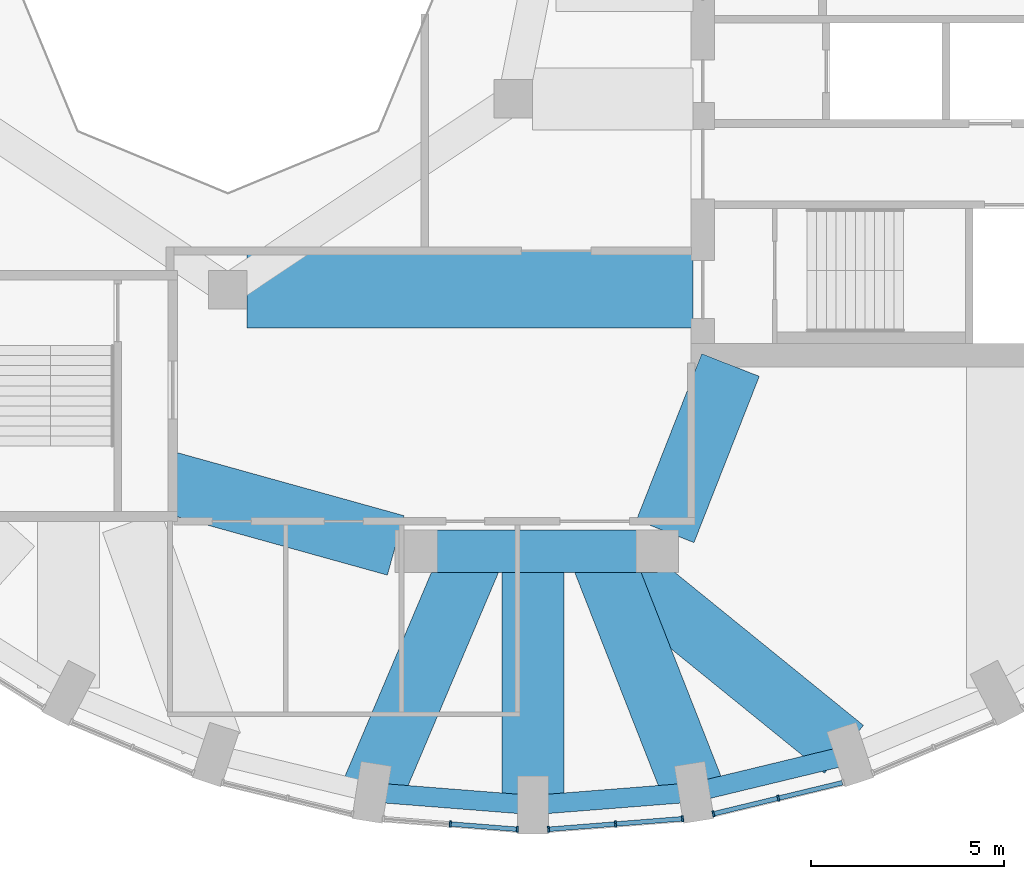
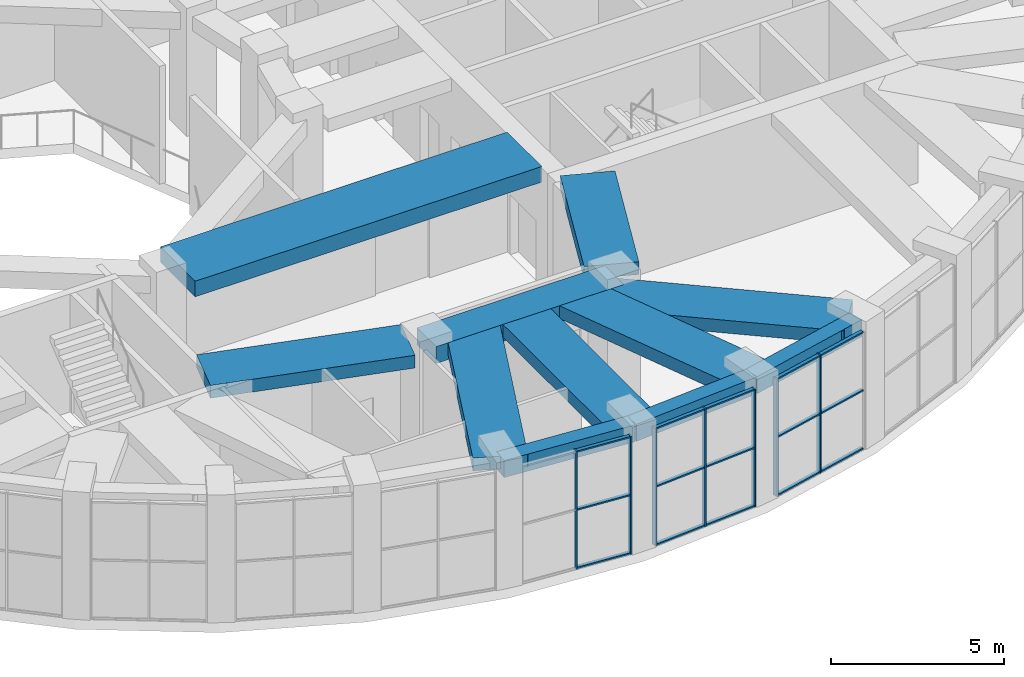
# One storey, part 3 of 17: 22 members, 11 beams, 3 elements without a shape of their own.
"""IFC4 building model written with IfcOpenShell, lengths in metres."""

from ifc_helpers import new_model, si_unit, direction, frame, origin, origin_2d, place, context, subcontext, project, spatial, rectangle, extrude, material, material_profile, profile_set, type_object, element, aggregate, save


model = new_model("IFC4")

# Units and contexts
model_context = context("Model", 3, precision=1e-05, world=origin(), true_north=direction((0.0, 1.0)))
body_context = subcontext(model_context, "Body", "Model", "MODEL_VIEW")
ifc_project = project(units=[si_unit("LENGTHUNIT", "METRE"), si_unit("AREAUNIT", "SQUARE_METRE"), si_unit("VOLUMEUNIT", "CUBIC_METRE"), si_unit("PLANEANGLEUNIT", "RADIAN"), si_unit("MASSUNIT", "GRAM", prefix="KILO")], contexts=[model_context])

# Site, building, storey
site_placement = place(None, origin())
site = spatial("IfcSite", under=ifc_project, at=site_placement, CompositionType="ELEMENT")
building_placement = place(site_placement, origin())
building = spatial("IfcBuilding", under=site, at=building_placement, Name="Taillehof Tower", CompositionType="ELEMENT")
storey_placement = place(building_placement, frame((0.0, 0.0, 259.699951171875)))
storey = spatial("IfcBuildingStorey", under=building, at=storey_placement, Name="L74", CompositionType="ELEMENT", Elevation=259.699951171875)

# Curtain wall, members
ifc_material_1 = material(Name="Aluminium curtain wall with Clear low-emissivity double glazing", Category="aluminium")
curtain_wall_type = type_object("IfcCurtainWallType", Name="Club lounge curtain wall", PredefinedType="USERDEFINED", material=ifc_material_1)
curtain_wall_1_placement = place(storey_placement, origin())
curtain_wall_1 = element("IfcCurtainWall", 1, at=curtain_wall_1_placement, inside=storey, type_object=curtain_wall_type, Name="Club lounge L74 bay 27", ObjectType="WINDOW WALL", PredefinedType="USERDEFINED")
ifc_material_2 = material(Name="Aluminium mullion", Category="aluminium")
ifc_material_profile_1 = material_profile(ifc_material_2, rectangle(XDim=0.159912109375, YDim=0.050048828125, at=origin_2d()), Name="AL 50x160")
ifc_profile_set_1 = profile_set([ifc_material_profile_1], Name="Aluminium mullion")
member_type_1 = type_object("IfcMemberType", Name="Club lounge mullion 50x160", PredefinedType="MULLION", material=ifc_profile_set_1)
member_1_placement = place(storey_placement, frame((-2.239990234375, -21.841064453125, 0.0), z_axis=(0.0, 0.0, 1.0), x_axis=(0.078525059075, 0.996912140109, 0.0)))
member_1 = element("IfcMember", 2, at=member_1_placement, type_object=member_type_1, Name="CT4E27 mullion 2", PredefinedType="MULLION", context=body_context, shape_type="SweptSolid", body=[
    extrude(rectangle(XDim=0.159912109375, YDim=0.050048828125, at=origin_2d()), origin(), (0.0, 0.0, 1.0), 4.150146484375),
])
member_2_placement = place(storey_placement, frame((-0.5048828125, -21.977783203125, 0.0), z_axis=(0.0, 0.0, 1.0), x_axis=(0.078525059075, 0.996912140109, 0.0)))
member_2 = element("IfcMember", 3, at=member_2_placement, type_object=member_type_1, Name="CT4E27 mullion 3", PredefinedType="MULLION", context=body_context, shape_type="SweptSolid", body=[
    extrude(rectangle(XDim=0.159912109375, YDim=0.050048828125, at=origin_2d()), origin(), (0.0, 0.0, 1.0), 4.150146484375),
])

curtain_wall_2_placement = place(storey_placement, origin())
curtain_wall_2 = element("IfcCurtainWall", 4, at=curtain_wall_2_placement, inside=storey, type_object=curtain_wall_type, Name="Club lounge L74 bay 28", ObjectType="WINDOW WALL", PredefinedType="USERDEFINED")
member_3_placement = place(storey_placement, frame((0.304931640625, -21.977783203125, 0.0), z_axis=(0.0, 0.0, 1.0), x_axis=(-0.078525059075, 0.996912140109, 0.0)))
member_3 = element("IfcMember", 5, at=member_3_placement, type_object=member_type_1, Name="CT4E28 mullion 1", PredefinedType="MULLION", context=body_context, shape_type="SweptSolid", body=[
    extrude(rectangle(XDim=0.159912109375, YDim=0.050048828125, at=origin_2d()), origin(), (0.0, 0.0, 1.0), 4.150146484375),
])
member_4_placement = place(storey_placement, frame((2.0400390625, -21.841064453125, 0.0), z_axis=(0.0, 0.0, 1.0), x_axis=(-0.078525059075, 0.996912140109, 0.0)))
member_4 = element("IfcMember", 6, at=member_4_placement, type_object=member_type_1, Name="CT4E28 mullion 2", PredefinedType="MULLION", context=body_context, shape_type="SweptSolid", body=[
    extrude(rectangle(XDim=0.159912109375, YDim=0.050048828125, at=origin_2d()), origin(), (0.0, 0.0, 1.0), 4.150146484375),
])
member_5_placement = place(storey_placement, frame((3.77490234375, -21.70458984375, 0.0), z_axis=(0.0, 0.0, 1.0), x_axis=(-0.078525059075, 0.996912140109, 0.0)))
member_5 = element("IfcMember", 7, at=member_5_placement, type_object=member_type_1, Name="CT4E28 mullion 3", PredefinedType="MULLION", context=body_context, shape_type="SweptSolid", body=[
    extrude(rectangle(XDim=0.159912109375, YDim=0.050048828125, at=origin_2d()), origin(), (0.0, 0.0, 1.0), 4.150146484375),
])

curtain_wall_3_placement = place(storey_placement, origin())
curtain_wall_3 = element("IfcCurtainWall", 8, at=curtain_wall_3_placement, inside=storey, type_object=curtain_wall_type, Name="Club lounge L74 bay 29", ObjectType="WINDOW WALL", PredefinedType="USERDEFINED")
member_6_placement = place(storey_placement, frame((4.574951171875, -21.577392578125, 0.0), z_axis=(0.0, 0.0, 1.0), x_axis=(-0.234514520129, 0.972112616855, 0.0)))
member_6 = element("IfcMember", 9, at=member_6_placement, type_object=member_type_1, Name="CT4E29 mullion 1", PredefinedType="MULLION", context=body_context, shape_type="SweptSolid", body=[
    extrude(rectangle(XDim=0.159912109375, YDim=0.050048828125, at=origin_2d()), origin(), (0.0, 0.0, 1.0), 4.150146484375),
])
member_7_placement = place(storey_placement, frame((6.255859375, -21.171875, 0.0), z_axis=(0.0, 0.0, 1.0), x_axis=(-0.234514520129, 0.972112616855, 0.0)))
member_7 = element("IfcMember", 10, at=member_7_placement, type_object=member_type_1, Name="CT4E29 mullion 2", PredefinedType="MULLION", context=body_context, shape_type="SweptSolid", body=[
    extrude(rectangle(XDim=0.159912109375, YDim=0.050048828125, at=origin_2d()), origin(), (0.0, 0.0, 1.0), 4.150146484375),
])

# Member
ifc_material_3 = material(Name="Aluminium transom", Category="aluminium")
ifc_material_profile_2 = material_profile(ifc_material_3, rectangle(XDim=0.1201171875, YDim=0.050048828125, at=origin_2d()), Name="AL 120x50")
ifc_profile_set_2 = profile_set([ifc_material_profile_2], Name="Aluminium transom")
member_type_2 = type_object("IfcMemberType", Name="Club lounge transom 120x50", PredefinedType="USERDEFINED", material=ifc_profile_set_2)
member_8_placement = place(storey_placement, frame((-2.215087890625, -21.843017578125, 0.025146484375), z_axis=(0.99690827984, -0.078574051613, 0.0), x_axis=(0.078574051613, 0.99690827984, 0.0)))
member_8 = element("IfcMember", 11, at=member_8_placement, type_object=member_type_2, Name="CT4E27 transom 2.1", ObjectType="TRANSOM", PredefinedType="USERDEFINED", context=body_context, shape_type="SweptSolid", body=[
    extrude(rectangle(XDim=0.1201171875, YDim=0.050048828125, at=origin_2d()), origin(), (0.0, 0.0, 1.0), 1.690185546875),
])

member_9_placement = place(storey_placement, frame((-2.215087890625, -21.843017578125, 2.074951171875), z_axis=(0.99690827984, -0.078574051613, 0.0), x_axis=(0.078574051613, 0.99690827984, 0.0)))
member_9 = element("IfcMember", 12, at=member_9_placement, type_object=member_type_2, Name="CT4E27 transom 2.2", ObjectType="TRANSOM", PredefinedType="USERDEFINED", context=body_context, shape_type="SweptSolid", body=[
    extrude(rectangle(XDim=0.1201171875, YDim=0.050048828125, at=origin_2d()), origin(), (0.0, 0.0, 1.0), 1.690185546875),
])

member_10_placement = place(storey_placement, frame((-2.215087890625, -21.843017578125, 4.125), z_axis=(0.99690827984, -0.078574051613, 0.0), x_axis=(0.078574051613, 0.99690827984, 0.0)))
member_10 = element("IfcMember", 13, at=member_10_placement, type_object=member_type_2, Name="CT4E27 transom 2.3", ObjectType="TRANSOM", PredefinedType="USERDEFINED", context=body_context, shape_type="SweptSolid", body=[
    extrude(rectangle(XDim=0.1201171875, YDim=0.050048828125, at=origin_2d()), origin(), (0.0, 0.0, 1.0), 1.690185546875),
])

aggregate(curtain_wall_1, [member_1, member_2, member_8, member_9, member_10])

member_11_placement = place(storey_placement, frame((0.329833984375, -21.975830078125, 0.025146484375), z_axis=(0.996909171388, 0.078562739278, 0.0), x_axis=(-0.078562739278, 0.996909171388, 0.0)))
member_11 = element("IfcMember", 14, at=member_11_placement, type_object=member_type_2, Name="CT4E28 transom 1.1", ObjectType="TRANSOM", PredefinedType="USERDEFINED", context=body_context, shape_type="SweptSolid", body=[
    extrude(rectangle(XDim=0.1201171875, YDim=0.050048828125, at=origin_2d()), origin(), (0.0, 0.0, 1.0), 1.6904296875),
])

member_12_placement = place(storey_placement, frame((0.329833984375, -21.975830078125, 2.074951171875), z_axis=(0.996909171388, 0.078562739278, 0.0), x_axis=(-0.078562739278, 0.996909171388, 0.0)))
member_12 = element("IfcMember", 15, at=member_12_placement, type_object=member_type_2, Name="CT4E28 transom 1.2", ObjectType="TRANSOM", PredefinedType="USERDEFINED", context=body_context, shape_type="SweptSolid", body=[
    extrude(rectangle(XDim=0.1201171875, YDim=0.050048828125, at=origin_2d()), origin(), (0.0, 0.0, 1.0), 1.6904296875),
])

member_13_placement = place(storey_placement, frame((0.329833984375, -21.975830078125, 4.125), z_axis=(0.996909171388, 0.078562739278, 0.0), x_axis=(-0.078562739278, 0.996909171388, 0.0)))
member_13 = element("IfcMember", 16, at=member_13_placement, type_object=member_type_2, Name="CT4E28 transom 1.3", ObjectType="TRANSOM", PredefinedType="USERDEFINED", context=body_context, shape_type="SweptSolid", body=[
    extrude(rectangle(XDim=0.1201171875, YDim=0.050048828125, at=origin_2d()), origin(), (0.0, 0.0, 1.0), 1.6904296875),
])

member_14_placement = place(storey_placement, frame((2.06494140625, -21.839111328125, 0.025146484375), z_axis=(0.996919583592, 0.078430503317, 0.0), x_axis=(-0.078430503317, 0.996919583592, 0.0)))
member_14 = element("IfcMember", 17, at=member_14_placement, type_object=member_type_2, Name="CT4E28 transom 2.1", ObjectType="TRANSOM", PredefinedType="USERDEFINED", context=body_context, shape_type="SweptSolid", body=[
    extrude(rectangle(XDim=0.1201171875, YDim=0.050048828125, at=origin_2d()), origin(), (0.0, 0.0, 1.0), 1.690185546875),
])

member_15_placement = place(storey_placement, frame((2.06494140625, -21.839111328125, 2.074951171875), z_axis=(0.996919583592, 0.078430503317, 0.0), x_axis=(-0.078430503317, 0.996919583592, 0.0)))
member_15 = element("IfcMember", 18, at=member_15_placement, type_object=member_type_2, Name="CT4E28 transom 2.2", ObjectType="TRANSOM", PredefinedType="USERDEFINED", context=body_context, shape_type="SweptSolid", body=[
    extrude(rectangle(XDim=0.1201171875, YDim=0.050048828125, at=origin_2d()), origin(), (0.0, 0.0, 1.0), 1.690185546875),
])

member_16_placement = place(storey_placement, frame((2.06494140625, -21.839111328125, 4.125), z_axis=(0.996919583592, 0.078430503317, 0.0), x_axis=(-0.078430503317, 0.996919583592, 0.0)))
member_16 = element("IfcMember", 19, at=member_16_placement, type_object=member_type_2, Name="CT4E28 transom 2.3", ObjectType="TRANSOM", PredefinedType="USERDEFINED", context=body_context, shape_type="SweptSolid", body=[
    extrude(rectangle(XDim=0.1201171875, YDim=0.050048828125, at=origin_2d()), origin(), (0.0, 0.0, 1.0), 1.690185546875),
])

aggregate(curtain_wall_2, [member_3, member_4, member_5, member_11, member_12, member_13, member_14, member_15, member_16])

member_17_placement = place(storey_placement, frame((4.59912109375, -21.571533203125, 0.025146484375), z_axis=(0.972110790257, 0.234522091637, 0.0), x_axis=(-0.234522091637, 0.972110790257, 0.0)))
member_17 = element("IfcMember", 20, at=member_17_placement, type_object=member_type_2, Name="CT4E29 transom 1.1", ObjectType="TRANSOM", PredefinedType="USERDEFINED", context=body_context, shape_type="SweptSolid", body=[
    extrude(rectangle(XDim=0.1201171875, YDim=0.050048828125, at=origin_2d()), origin(), (0.0, 0.0, 1.0), 1.67919921875),
])

member_18_placement = place(storey_placement, frame((4.59912109375, -21.571533203125, 2.074951171875), z_axis=(0.972110790257, 0.234522091637, 0.0), x_axis=(-0.234522091637, 0.972110790257, 0.0)))
member_18 = element("IfcMember", 21, at=member_18_placement, type_object=member_type_2, Name="CT4E29 transom 1.2", ObjectType="TRANSOM", PredefinedType="USERDEFINED", context=body_context, shape_type="SweptSolid", body=[
    extrude(rectangle(XDim=0.1201171875, YDim=0.050048828125, at=origin_2d()), origin(), (0.0, 0.0, 1.0), 1.67919921875),
])

member_19_placement = place(storey_placement, frame((4.59912109375, -21.571533203125, 4.125), z_axis=(0.972110790257, 0.234522091637, 0.0), x_axis=(-0.234522091637, 0.972110790257, 0.0)))
member_19 = element("IfcMember", 22, at=member_19_placement, type_object=member_type_2, Name="CT4E29 transom 1.3", ObjectType="TRANSOM", PredefinedType="USERDEFINED", context=body_context, shape_type="SweptSolid", body=[
    extrude(rectangle(XDim=0.1201171875, YDim=0.050048828125, at=origin_2d()), origin(), (0.0, 0.0, 1.0), 1.67919921875),
])

member_20_placement = place(storey_placement, frame((6.280029296875, -21.166015625, 0.025146484375), z_axis=(0.972110790257, 0.234522091637, 0.0), x_axis=(-0.234522091637, 0.972110790257, 0.0)))
member_20 = element("IfcMember", 23, at=member_20_placement, type_object=member_type_2, Name="CT4E29 transom 2.1", ObjectType="TRANSOM", PredefinedType="USERDEFINED", context=body_context, shape_type="SweptSolid", body=[
    extrude(rectangle(XDim=0.1201171875, YDim=0.050048828125, at=origin_2d()), origin(), (0.0, 0.0, 1.0), 1.67919921875),
])

member_21_placement = place(storey_placement, frame((6.280029296875, -21.166015625, 2.074951171875), z_axis=(0.972110790257, 0.234522091637, 0.0), x_axis=(-0.234522091637, 0.972110790257, 0.0)))
member_21 = element("IfcMember", 24, at=member_21_placement, type_object=member_type_2, Name="CT4E29 transom 2.2", ObjectType="TRANSOM", PredefinedType="USERDEFINED", context=body_context, shape_type="SweptSolid", body=[
    extrude(rectangle(XDim=0.1201171875, YDim=0.050048828125, at=origin_2d()), origin(), (0.0, 0.0, 1.0), 1.67919921875),
])

member_22_placement = place(storey_placement, frame((6.280029296875, -21.166015625, 4.125), z_axis=(0.972110790257, 0.234522091637, 0.0), x_axis=(-0.234522091637, 0.972110790257, 0.0)))
member_22 = element("IfcMember", 25, at=member_22_placement, type_object=member_type_2, Name="CT4E29 transom 2.3", ObjectType="TRANSOM", PredefinedType="USERDEFINED", context=body_context, shape_type="SweptSolid", body=[
    extrude(rectangle(XDim=0.1201171875, YDim=0.050048828125, at=origin_2d()), origin(), (0.0, 0.0, 1.0), 1.67919921875),
])

aggregate(curtain_wall_3, [member_6, member_7, member_17, member_18, member_19, member_20, member_21, member_22])

# Beams
ifc_material_4 = material(Name="Concrete C50/60", Category="concrete")
ifc_material_profile_3 = material_profile(ifc_material_4, rectangle(XDim=1.10009765625, YDim=0.60009765625, at=origin_2d()), Name="RC 1100x600")
ifc_profile_set_3 = profile_set([ifc_material_profile_3], Name="Concrete C50/60")
beam_type_1 = type_object("IfcBeamType", Name="Mid-ring beam C50/60 1100x600", PredefinedType="BEAM", material=ifc_profile_set_3)
beam_1_placement = place(storey_placement, frame((-3.125732421875, -14.772216796875, 3.85009765625), z_axis=(1.0, 0.0, 0.0), x_axis=(0.0, 1.0, 0.0)))
element("IfcBeam", 26, at=beam_1_placement, inside=storey, type_object=beam_type_1, Name="Mid-ring beam MB02", PredefinedType="BEAM", context=body_context, shape_type="SweptSolid", body=[
    extrude(rectangle(XDim=1.10009765625, YDim=0.60009765625, at=origin_2d()), origin(), (0.0, 0.0, 1.0), 6.25146484375),
])
ifc_material_5 = material(Name="Concrete C50/60", Category="concrete")
ifc_material_profile_4 = material_profile(ifc_material_5, rectangle(XDim=1.60009765625, YDim=0.449951171875, at=origin_2d()), Name="RC 1600x450")
ifc_profile_set_4 = profile_set([ifc_material_profile_4], Name="Concrete C50/60")
beam_type_2 = type_object("IfcBeamType", Name="Radial band beam C50/60 1600x450", PredefinedType="BEAM", material=ifc_profile_set_4)
beam_2_placement = place(storey_placement, frame((-4.276123046875, -21.02099609375, 3.925048828125), z_axis=(0.390474101739, 0.920613912491, 0.0), x_axis=(-0.920613912491, 0.390474101739, 0.0)))
element("IfcBeam", 27, at=beam_2_placement, inside=storey, type_object=beam_type_2, Name="Radial band beam RB27", PredefinedType="BEAM", context=body_context, shape_type="SweptSolid", body=[
    extrude(rectangle(XDim=1.60009765625, YDim=0.449951171875, at=origin_2d()), origin(), (0.0, 0.0, 1.0), 6.78759765625),
])
beam_3_placement = place(storey_placement, frame((-0.10009765625, -21.35009765625, 3.925048828125), z_axis=(0.0, 1.0, 0.0), x_axis=(-1.0, 0.0, 0.0)))
element("IfcBeam", 28, at=beam_3_placement, inside=storey, type_object=beam_type_2, Name="Radial band beam RB28", PredefinedType="BEAM", context=body_context, shape_type="SweptSolid", body=[
    extrude(rectangle(XDim=1.60009765625, YDim=0.449951171875, at=origin_2d()), origin(), (0.0, 0.0, 1.0), 6.577880859375),
])
beam_4_placement = place(storey_placement, frame((4.076171875, -21.02099609375, 3.925048828125), z_axis=(-0.365079492969, 0.93097634976, 0.0), x_axis=(-0.93097634976, -0.365079492969, 0.0)))
element("IfcBeam", 29, at=beam_4_placement, inside=storey, type_object=beam_type_2, Name="Radial band beam RB29", PredefinedType="BEAM", context=body_context, shape_type="SweptSolid", body=[
    extrude(rectangle(XDim=1.60009765625, YDim=0.449951171875, at=origin_2d()), origin(), (0.0, 0.0, 1.0), 6.712158203125),
])
beam_5_placement = place(storey_placement, frame((7.9560546875, -19.90673828125, 3.925048828125), z_axis=(-0.776646099525, 0.629937168369, 0.0), x_axis=(-0.629937168369, -0.776646099525, 0.0)))
element("IfcBeam", 30, at=beam_5_placement, inside=storey, type_object=beam_type_2, Name="Radial band beam RB30", PredefinedType="BEAM", context=body_context, shape_type="SweptSolid", body=[
    extrude(rectangle(XDim=1.60009765625, YDim=0.449951171875, at=origin_2d()), origin(), (0.0, 0.0, 1.0), 8.03759765625),
])
beam_6_placement = place(storey_placement, frame((-3.655517578125, -14.624755859375, 3.925048828125), z_axis=(-0.963459369536, 0.267854518821, 0.0), x_axis=(-0.267854518821, -0.963459369536, 0.0)))
element("IfcBeam", 31, at=beam_6_placement, inside=storey, type_object=beam_type_2, Name="Inner band beam IB214", PredefinedType="BEAM", context=body_context, shape_type="SweptSolid", body=[
    extrude(rectangle(XDim=1.60009765625, YDim=0.449951171875, at=origin_2d()), origin(), (0.0, 0.0, 1.0), 6.096923828125),
])
beam_7_placement = place(storey_placement, frame((3.32666015625, -14.26025390625, 3.925048828125), z_axis=(0.365588707223, 0.930776502255, 0.0), x_axis=(-0.930776502255, 0.365588707223, 0.0)))
element("IfcBeam", 32, at=beam_7_placement, inside=storey, type_object=beam_type_2, Name="Inner band beam IB215", PredefinedType="BEAM", context=body_context, shape_type="SweptSolid", body=[
    extrude(rectangle(XDim=1.60009765625, YDim=0.449951171875, at=origin_2d()), origin(), (0.0, 0.0, 1.0), 4.627197265625),
])
ifc_material_6 = material(Name="Concrete C50/60", Category="concrete")
ifc_material_profile_5 = material_profile(ifc_material_6, rectangle(XDim=2.0, YDim=0.550048828125, at=origin_2d()), Name="RC 2000x550")
ifc_profile_set_5 = profile_set([ifc_material_profile_5], Name="Concrete C50/60")
beam_type_3 = type_object("IfcBeamType", Name="Radial band beam C50/60 2000x550", PredefinedType="BEAM", material=ifc_profile_set_5)
beam_8_placement = place(storey_placement, frame((-7.5, -8.0, 3.875), z_axis=(1.0, 0.0, 0.0), x_axis=(0.0, 1.0, 0.0)))
element("IfcBeam", 33, at=beam_8_placement, inside=storey, type_object=beam_type_3, Name="Inner band beam IB113", PredefinedType="BEAM", context=body_context, shape_type="SweptSolid", body=[
    extrude(rectangle(XDim=2.0, YDim=0.550048828125, at=origin_2d()), origin(), (0.0, 0.0, 1.0), 11.550048828125),
])
ifc_material_7 = material(Name="Concrete C50/60", Category="concrete")
ifc_material_profile_6 = material_profile(ifc_material_7, rectangle(XDim=0.5, YDim=0.60009765625, at=origin_2d()), Name="RC 500x600")
ifc_profile_set_6 = profile_set([ifc_material_profile_6], Name="Concrete C50/60")
beam_type_4 = type_object("IfcBeamType", Name="Spandrel beam C50/60 500x600", PredefinedType="SPANDREL", material=ifc_profile_set_6)
beam_9_placement = place(storey_placement, frame((-4.276123046875, -21.02099609375, 3.85009765625), z_axis=(0.996909089392, -0.078563779743, 0.0), x_axis=(0.078563779743, 0.996909089392, 0.0)))
element("IfcBeam", 34, at=beam_9_placement, inside=storey, type_object=beam_type_4, Name="Spandrel beam SB27", PredefinedType="SPANDREL", context=body_context, shape_type="SweptSolid", body=[
    extrude(rectangle(XDim=0.5, YDim=0.60009765625, at=origin_2d()), origin(), (0.0, 0.0, 1.0), 4.18896484375),
])
beam_10_placement = place(storey_placement, frame((-0.10009765625, -21.35009765625, 3.85009765625), z_axis=(0.996909449091, 0.078559215326, 0.0), x_axis=(-0.078559215326, 0.996909449091, 0.0)))
element("IfcBeam", 35, at=beam_10_placement, inside=storey, type_object=beam_type_4, Name="Spandrel beam SB28", PredefinedType="SPANDREL", context=body_context, shape_type="SweptSolid", body=[
    extrude(rectangle(XDim=0.5, YDim=0.60009765625, at=origin_2d()), origin(), (0.0, 0.0, 1.0), 4.189208984375),
])
beam_11_placement = place(storey_placement, frame((4.076171875, -21.02099609375, 3.85009765625), z_axis=(0.972129209911, 0.234445727701, 0.0), x_axis=(-0.234445727701, 0.972129209911, 0.0)))
element("IfcBeam", 36, at=beam_11_placement, inside=storey, type_object=beam_type_4, Name="Spandrel beam SB29", PredefinedType="SPANDREL", context=body_context, shape_type="SweptSolid", body=[
    extrude(rectangle(XDim=0.5, YDim=0.60009765625, at=origin_2d()), origin(), (0.0, 0.0, 1.0), 4.16552734375),
])

save(model, "model.ifc")
